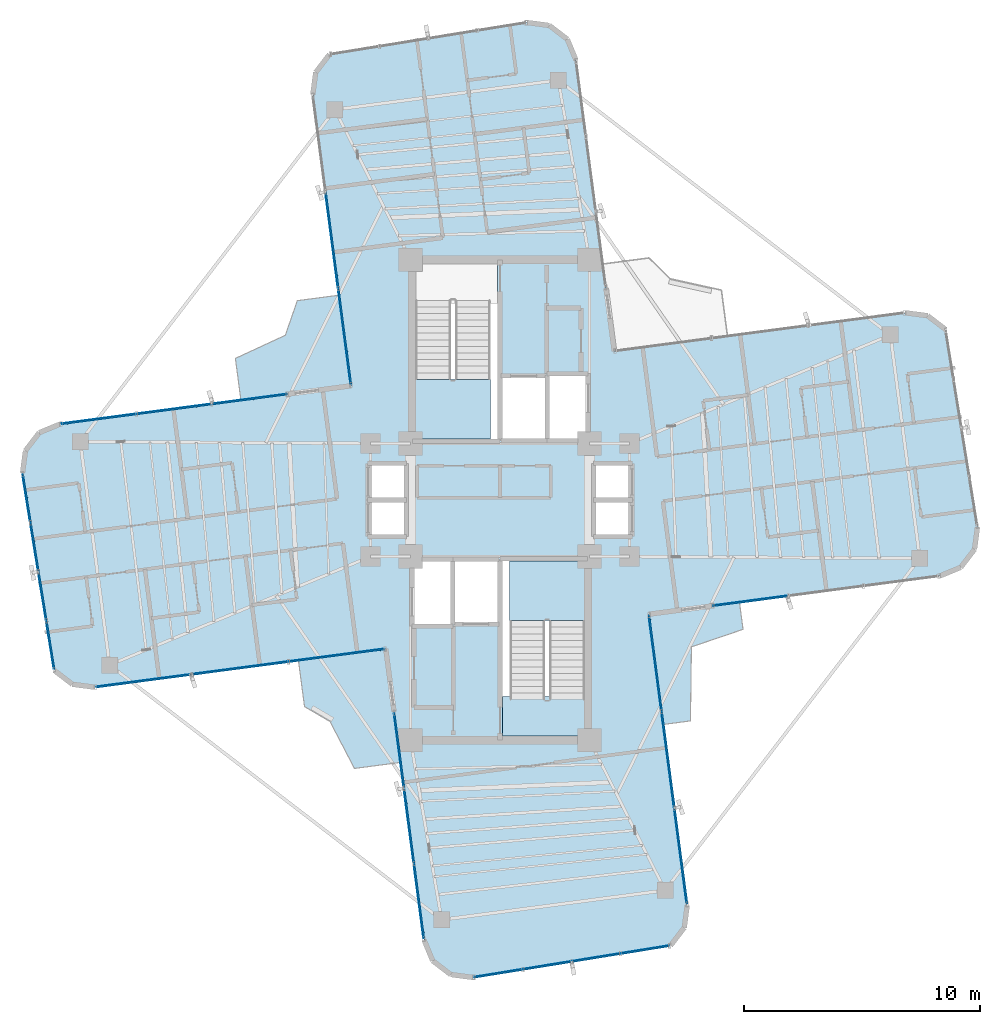
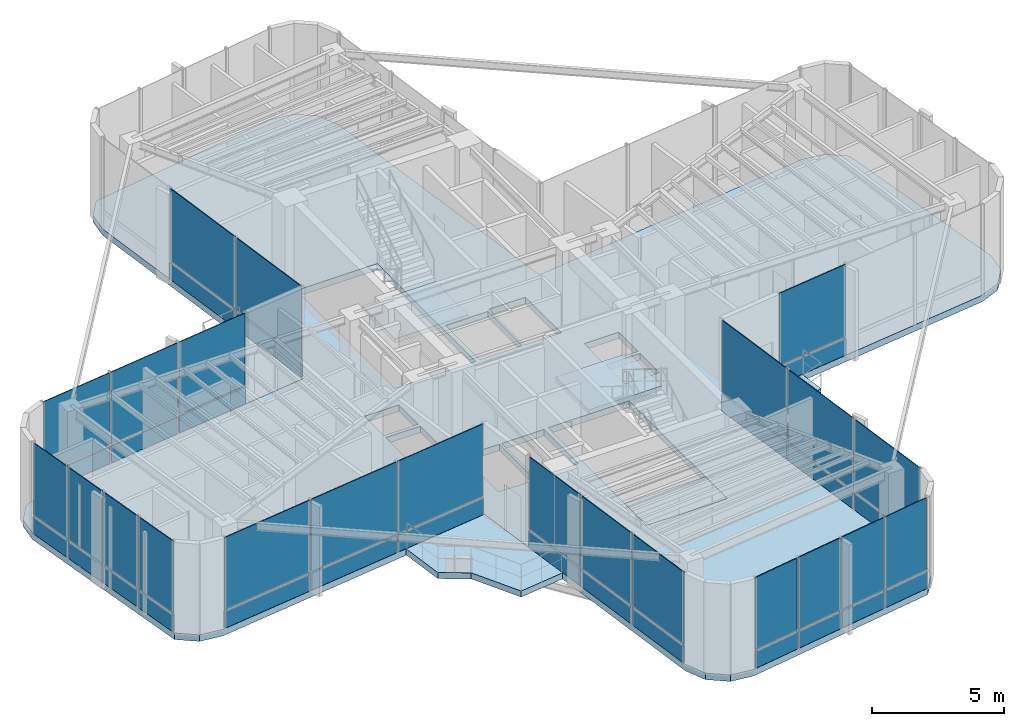
# One storey, part 13 of 20: 46 plates, 7 slabs, 10 elements without a shape of their own.
"""IFC4 building model written with IfcOpenShell, lengths in metres."""

import ifcopenshell
import ifcopenshell.guid

model = None  # the IFC model being written
_history = None  # IfcOwnerHistory: only IFC2X3 demands one
_inside = {}  # id of a spatial element -> (the spatial element, [elements in it])
_under = {}  # id of a project, library or spatial element -> (it, [spatial elements below it])
_declared = {}  # id of a project -> (the project, [libraries it declares])
_typed = {}  # id of a type object -> (the type object, [elements of that type])
_made_of = {}  # id of a material, layer set ... -> (it, [elements and type objects made of it])


def new_model(schema):
    """Start an empty IFC model of exactly this schema.

    Asked for "IFC4X3", IfcOpenShell would pick the latest addendum, in which some entities
    have other attributes; the version numbers below select the first issue.
    IFC2X3 requires an IfcOwnerHistory on every rooted entity: one is made here for all.
    """
    global model, _history
    if schema == "IFC4X3":
        model = ifcopenshell.file(schema_version=(4, 3, 0, 0))
    else:
        model = ifcopenshell.file(schema=schema)
    _inside.clear()
    _under.clear()
    _declared.clear()
    _typed.clear()
    _made_of.clear()
    _history = None
    if model.schema == "IFC2X3":
        org = make("IfcOrganization", Name="unknown")
        user = make(
            "IfcPersonAndOrganization",
            ThePerson=make("IfcPerson", FamilyName="unknown"),
            TheOrganization=org,
        )
        app = make(
            "IfcApplication",
            ApplicationDeveloper=org,
            Version="unknown",
            ApplicationFullName="unknown",
            ApplicationIdentifier="unknown",
        )
        _history = make(
            "IfcOwnerHistory",
            OwningUser=user,
            OwningApplication=app,
            ChangeAction="ADDED",
            CreationDate=0,
        )
    return model


def make(cls, **values):
    """One entity of the class cls with the attributes given. An attribute that is None is left unset."""
    return model.create_entity(
        cls, **{name: value for name, value in values.items() if value is not None}
    )


def rooted(cls, **values):
    """An entity with a GlobalId (a new one), such as an element, a storey or a relation."""
    return make(cls, GlobalId=ifcopenshell.guid.new(), OwnerHistory=_history, **values)


def si_unit(unit_type, name, prefix=None):
    """IfcSIUnit, for example si_unit("LENGTHUNIT", "METRE", prefix="MILLI")."""
    return make("IfcSIUnit", UnitType=unit_type, Prefix=prefix, Name=name)


def assignment(units):
    """IfcUnitAssignment: the units of a project."""
    return None if units is None else make("IfcUnitAssignment", Units=units)


def point(xyz):
    """IfcCartesianPoint."""
    return None if xyz is None else make("IfcCartesianPoint", Coordinates=xyz)


def direction(xyz):
    """IfcDirection."""
    return None if xyz is None else make("IfcDirection", DirectionRatios=xyz)


def frame(location, z_axis=None, x_axis=None):
    """IfcAxis2Placement3D, a coordinate frame: its origin and axes. An axis left out is left unset."""
    return make(
        "IfcAxis2Placement3D",
        Location=point(location),
        Axis=direction(z_axis),
        RefDirection=direction(x_axis),
    )


def frame_2d(location, x_axis=None):
    """IfcAxis2Placement2D, a coordinate frame in the plane: its origin and x axis."""
    return make(
        "IfcAxis2Placement2D", Location=point(location), RefDirection=direction(x_axis)
    )


def origin():
    """The frame at (0, 0, 0) with its axes left unset."""
    return frame((0.0, 0.0, 0.0))


def origin_2d():
    """The frame at (0, 0) in the plane with its x axis left unset."""
    return frame_2d((0.0, 0.0))


def place(relative_to, where):
    """IfcLocalPlacement: puts the frame where relative to a parent placement (None: the world)."""
    return make(
        "IfcLocalPlacement", PlacementRelTo=relative_to, RelativePlacement=where
    )


def context(
    kind, dimensions, precision=None, world=None, true_north=None, identifier=None
):
    """IfcGeometricRepresentationContext, for example the 3D "Model" context."""
    return make(
        "IfcGeometricRepresentationContext",
        ContextIdentifier=identifier,
        ContextType=kind,
        CoordinateSpaceDimension=dimensions,
        Precision=precision,
        WorldCoordinateSystem=world,
        TrueNorth=true_north,
    )


def subcontext(parent, identifier, kind, view, scale=None):
    """IfcGeometricRepresentationSubContext, for example "Body" below "Model"."""
    return make(
        "IfcGeometricRepresentationSubContext",
        ContextIdentifier=identifier,
        ContextType=kind,
        ParentContext=parent,
        TargetScale=scale,
        TargetView=view,
    )


def project(units=None, contexts=None):
    """IfcProject with its units and contexts."""
    return rooted(
        "IfcProject",
        Name="project",
        RepresentationContexts=contexts,
        UnitsInContext=assignment(units),
    )


def spatial(cls, under=None, at=None, **own):
    """A site, building, storey or space (cls), placed at a placement, below another one or the project."""
    s = rooted(cls, ObjectPlacement=at, **own)
    if under is not None:
        _under.setdefault(under.id(), (under, []))[1].append(s)
    return s


def polyline(points):
    """IfcPolyline through the points."""
    return make("IfcPolyline", Points=[point(p) for p in points])


def profile(cls, at=None, kind="AREA", **sizes):
    """A parametric profile (cls). Its sizes go by their IFC names, for example OverallWidth=200.0."""
    return make(cls, ProfileType=kind, Position=at, **sizes)


def rectangle(**sizes):
    """IfcRectangleProfileDef."""
    return profile("IfcRectangleProfileDef", **sizes)


def outline(outer, holes=None, kind="AREA"):
    """IfcArbitraryClosedProfileDef: a profile drawn as a closed curve; with holes, ...WithVoids."""
    if holes is None:
        return make("IfcArbitraryClosedProfileDef", ProfileType=kind, OuterCurve=outer)
    return make(
        "IfcArbitraryProfileDefWithVoids",
        ProfileType=kind,
        OuterCurve=outer,
        InnerCurves=holes,
    )


def extrude(swept, where, along, depth):
    """IfcExtrudedAreaSolid: the profile swept, set in the frame where, extruded along a direction by depth."""
    return make(
        "IfcExtrudedAreaSolid",
        SweptArea=swept,
        Position=where,
        ExtrudedDirection=direction(along),
        Depth=depth,
    )


def shape(context_of_items, identifier, shape_type, items):
    """IfcShapeRepresentation: the items that make up one representation, for example the "Body"."""
    return make(
        "IfcShapeRepresentation",
        ContextOfItems=context_of_items,
        RepresentationIdentifier=identifier,
        RepresentationType=shape_type,
        Items=items,
    )


def source(mapping_origin, context_of_items, identifier, shape_type, items):
    """IfcRepresentationMap: a shape defined once, which mapped items show again and again."""
    return make(
        "IfcRepresentationMap",
        MappingOrigin=mapping_origin,
        MappedRepresentation=shape(context_of_items, identifier, shape_type, items),
    )


def transform(
    local_origin,
    x_axis=None,
    y_axis=None,
    z_axis=None,
    scale=None,
    scale2=None,
    scale3=None,
    uniform=True,
):
    """IfcCartesianTransformationOperator3D, or its non-uniform kind. x_axis, y_axis, z_axis: its Axis1, 2, 3."""
    if uniform:
        return make(
            "IfcCartesianTransformationOperator3D",
            Axis1=direction(x_axis),
            Axis2=direction(y_axis),
            LocalOrigin=point(local_origin),
            Scale=scale,
            Axis3=direction(z_axis),
        )
    return make(
        "IfcCartesianTransformationOperator3DnonUniform",
        Axis1=direction(x_axis),
        Axis2=direction(y_axis),
        LocalOrigin=point(local_origin),
        Scale=scale,
        Axis3=direction(z_axis),
        Scale2=scale2,
        Scale3=scale3,
    )


def mapped(mapping_source, mapping_target):
    """IfcMappedItem: shows the shape of a source again, moved by a transform."""
    return make(
        "IfcMappedItem", MappingSource=mapping_source, MappingTarget=mapping_target
    )


def material(Name=None, Category=None):
    """IfcMaterial."""
    return make("IfcMaterial", Name=Name, Category=Category)


def layer(
    of_material, thickness, ventilated=None, Name=None, Category=None, Priority=None
):
    """IfcMaterialLayer: one layer of a wall or slab, of a material (None: an air gap)."""
    return make(
        "IfcMaterialLayer",
        Material=of_material,
        LayerThickness=thickness,
        IsVentilated=ventilated,
        Name=Name,
        Category=Category,
        Priority=Priority,
    )


def layer_set(layers, Name=None):
    """IfcMaterialLayerSet."""
    return make("IfcMaterialLayerSet", MaterialLayers=layers, LayerSetName=Name)


def made_of(thing, what):
    """Note that an element or type object is made of a material, layer set ...; save() writes the relation."""
    if what is not None:
        _made_of.setdefault(what.id(), (what, []))[1].append(thing)
    return thing


def type_object(cls, material=None, **own):
    """A type object (cls), such as IfcWallType, which elements share."""
    return made_of(rooted(cls, **own), material)


def element(
    cls,
    number,
    at=None,
    inside=None,
    cuts=None,
    type_object=None,
    material=None,
    context=None,
    identifier="Body",
    shape_type=None,
    held_by="IfcProductDefinitionShape",
    body=None,
    shapes=None,
    **own,
):
    """One element of the class cls, such as IfcWall. Its Tag is "e" and its number.

    at: its placement. inside: the storey or other place that contains it. cuts: it is an
    opening in that element (IfcRelVoidsElement). A single representation is given by context,
    identifier, shape_type and body (its items); several are given by shapes. held_by: the class
    of the entity that holds the representations. save() writes the other relations.
    """
    e = rooted(cls, Tag="e%d" % number, ObjectPlacement=at, **own)
    if body is not None:
        shapes = [shape(context, identifier, shape_type, body)]
    if shapes is not None:
        e.Representation = make(held_by, Representations=shapes)
    if inside is not None:
        _inside.setdefault(inside.id(), (inside, []))[1].append(e)
    if cuts is not None:
        rooted(
            "IfcRelVoidsElement", RelatingBuildingElement=cuts, RelatedOpeningElement=e
        )
    if type_object is not None:
        _typed.setdefault(type_object.id(), (type_object, []))[1].append(e)
    return made_of(e, material)


def aggregate(whole, parts):
    """IfcRelAggregates: a whole, such as a stair, and the parts it consists of."""
    return rooted("IfcRelAggregates", RelatingObject=whole, RelatedObjects=parts)


def save(model, path):
    """Write the relations noted so far, then the file.

    IfcRelAggregates (storeys below a building ...), IfcRelContainedInSpatialStructure (elements
    in a storey), IfcRelDefinesByType, IfcRelAssociatesMaterial and IfcRelDeclares: one each for
    every whole, place, type object, material and project.
    """
    for whole, parts in _under.values():
        aggregate(whole, parts)
    for where, things in _inside.values():
        rooted(
            "IfcRelContainedInSpatialStructure",
            RelatedElements=things,
            RelatingStructure=where,
        )
    for kind, things in _typed.values():
        rooted("IfcRelDefinesByType", RelatedObjects=things, RelatingType=kind)
    for what, things in _made_of.values():
        rooted("IfcRelAssociatesMaterial", RelatedObjects=things, RelatingMaterial=what)
    for by, libraries in _declared.values():
        rooted("IfcRelDeclares", RelatingContext=by, RelatedDefinitions=libraries)
    model.write(path)


model = new_model("IFC4")

# Units and contexts
model_context = context("Model", 3, precision=1e-05, world=origin(), true_north=direction((0.0, 1.0)))
body_context = subcontext(model_context, "Body", "Model", "MODEL_VIEW")
ifc_project = project(units=[si_unit("LENGTHUNIT", "METRE"), si_unit("AREAUNIT", "SQUARE_METRE"), si_unit("VOLUMEUNIT", "CUBIC_METRE"), si_unit("PLANEANGLEUNIT", "RADIAN"), si_unit("MASSUNIT", "GRAM", prefix="KILO")], contexts=[model_context])

# Site, building, storey
site_placement = place(None, origin())
site = spatial("IfcSite", under=ifc_project, at=site_placement, CompositionType="ELEMENT")
building_placement = place(site_placement, origin())
building = spatial("IfcBuilding", under=site, at=building_placement, Name="Sahyath Konkavel Grand Hotel", CompositionType="ELEMENT")
storey_placement = place(building_placement, frame((0.0, 0.0, 229.949951171875)))
storey = spatial("IfcBuildingStorey", under=building, at=storey_placement, Name="L64", CompositionType="ELEMENT", Elevation=229.949951171875)

# Slabs
ifc_material_1 = material(Name="Concrete C40/50", Category="concrete")
ifc_layer_1 = layer(ifc_material_1, 0.300048828125)
ifc_layer_set_1 = layer_set([ifc_layer_1], Name="Concrete C40/50")
slab_type_1 = type_object("IfcSlabType", Name="SLB-300", PredefinedType="FLOOR", material=ifc_layer_set_1)
slab_1_placement = place(storey_placement, frame((0.0, 0.0, -0.300048828125)))
element("IfcSlab", 1, at=slab_1_placement, inside=storey, type_object=slab_type_1, Name="L64 Structural Floor Slab", PredefinedType="FLOOR", context=body_context, shape_type="SweptSolid", body=[
    extrude(outline(polyline([(6.320068359375, -4.849609375), (18.677490234375, -3.22265625), (19.562255859375, -2.856201171875), (20.14501953125, -2.096435546875), (20.27001953125, -1.14697265625), (18.916015625, 7.239013671875), (18.156494140625, 7.822021484375), (17.206787109375, 7.947021484375), (4.849609375, 6.320068359375), (3.22265625, 18.677490234375), (2.856201171875, 19.562255859375), (2.096435546875, 20.14501953125), (1.14697265625, 20.27001953125), (-7.239013671875, 18.916015625), (-7.822021484375, 18.156494140625), (-7.947021484375, 17.206787109375), (-6.320068359375, 4.849609375), (-18.677490234375, 3.22265625), (-19.562255859375, 2.856201171875), (-20.14501953125, 2.096435546875), (-20.27001953125, 1.14697265625), (-18.916015625, -7.239013671875), (-18.156494140625, -7.822021484375), (-17.206787109375, -7.947021484375), (-4.849609375, -6.320068359375), (-3.22265625, -18.677490234375), (-2.856201171875, -19.562255859375), (-2.096435546875, -20.14501953125), (-1.14697265625, -20.27001953125), (7.239013671875, -18.916015625), (7.822021484375, -18.156494140625), (7.947021484375, -17.206787109375), (6.320068359375, -4.849609375)]), holes=[polyline([(-3.6201171875, 2.580078125), (-0.10009765625, 2.580078125), (-0.10009765625, 10.02001953125), (-3.6201171875, 10.02001953125), (-3.6201171875, 2.580078125)]), polyline([(0.10009765625, -10.02001953125), (3.6201171875, -10.02001953125), (3.6201171875, -2.580078125), (0.10009765625, -2.580078125), (0.10009765625, -10.02001953125)]), polyline([(0.10009765625, 2.60009765625), (1.949951171875, 2.60009765625), (1.949951171875, 5.199951171875), (0.10009765625, 5.199951171875), (0.10009765625, 2.60009765625)]), polyline([(-1.949951171875, -5.199951171875), (-0.10009765625, -5.199951171875), (-0.10009765625, -2.60009765625), (-1.949951171875, -2.60009765625), (-1.949951171875, -5.199951171875)]), polyline([(2.050048828125, 2.60009765625), (3.64990234375, 2.60009765625), (3.64990234375, 5.300048828125), (2.050048828125, 5.300048828125), (2.050048828125, 2.60009765625)]), polyline([(-3.64990234375, -5.300048828125), (-2.050048828125, -5.300048828125), (-2.050048828125, -2.60009765625), (-3.64990234375, -2.60009765625), (-3.64990234375, -5.300048828125)]), polyline([(4.050048828125, 0.080078125), (5.550048828125, 0.080078125), (5.550048828125, 1.5400390625), (4.050048828125, 1.5400390625), (4.050048828125, 0.080078125)]), polyline([(4.050048828125, -1.5400390625), (5.550048828125, -1.5400390625), (5.550048828125, -0.080078125), (4.050048828125, -0.080078125), (4.050048828125, -1.5400390625)]), polyline([(-5.550048828125, 0.080078125), (-4.050048828125, 0.080078125), (-4.050048828125, 1.5400390625), (-5.550048828125, 1.5400390625), (-5.550048828125, 0.080078125)]), polyline([(-5.550048828125, -1.5400390625), (-4.050048828125, -1.5400390625), (-4.050048828125, -0.080078125), (-5.550048828125, -0.080078125), (-5.550048828125, -1.5400390625)])]), origin(), (0.0, 0.0, 1.0), 0.300048828125),
])
ifc_layer_2 = layer(ifc_material_1, 0.219970703125)
ifc_layer_set_2 = layer_set([ifc_layer_2], Name="Concrete C40/50")
slab_type_2 = type_object("IfcSlabType", Name="SLB-BALCONY-220", PredefinedType="FLOOR", material=ifc_layer_set_2)
slab_2_placement = place(storey_placement, frame((0.0, 0.0, -0.219970703125)))
element("IfcSlab", 2, at=slab_2_placement, inside=storey, type_object=slab_type_2, Name="L64 Winter-Garden Balcony NW", PredefinedType="FLOOR", context=body_context, shape_type="SweptSolid", body=[
    extrude(outline(polyline([(-6.320068359375, 4.849609375), (-6.826416015625, 8.6962890625), (-8.60400390625, 8.46240234375), (-9.11376953125, 6.9931640625), (-11.233642578125, 6.010986328125), (-10.999755859375, 4.2333984375), (-6.320068359375, 4.849609375)])), origin(), (0.0, 0.0, 1.0), 0.219970703125),
])
slab_3_placement = place(storey_placement, frame((0.0, 0.0, -0.219970703125)))
element("IfcSlab", 3, at=slab_3_placement, inside=storey, type_object=slab_type_2, Name="L64 Winter-Garden Balcony SE", PredefinedType="FLOOR", context=body_context, shape_type="SweptSolid", body=[
    extrude(outline(polyline([(6.320068359375, -4.849609375), (6.93603515625, -9.529296875), (8.08544921875, -9.3779296875), (8.12646484375, -6.235595703125), (10.318115234375, -5.492431640625), (10.1669921875, -4.343017578125), (6.320068359375, -4.849609375)])), origin(), (0.0, 0.0, 1.0), 0.219970703125),
])
ifc_layer_3 = layer(ifc_material_1, 0.280029296875)
ifc_layer_set_3 = layer_set([ifc_layer_3], Name="Concrete C40/50")
slab_type_3 = type_object("IfcSlabType", Name="SLB-SKYGARDEN-280", PredefinedType="ROOF", material=ifc_layer_set_3)
slab_4_placement = place(storey_placement, frame((0.0, 0.0, -0.280029296875)))
element("IfcSlab", 4, at=slab_4_placement, inside=storey, type_object=slab_type_3, Name="L64 Planted Sky Garden Terrace SW", PredefinedType="ROOF", context=body_context, shape_type="SweptSolid", body=[
    extrude(outline(polyline([(-4.849609375, -6.320068359375), (-8.5576171875, -6.80810546875), (-8.299072265625, -8.771240234375), (-7.217041015625, -9.405517578125), (-6.17822265625, -11.39697265625), (-4.215087890625, -11.138427734375), (-4.849609375, -6.320068359375)])), origin(), (0.0, 0.0, 1.0), 0.280029296875),
])

# Stair, slab
stair_type = type_object("IfcStairType", Name="STR-ST16-450", PredefinedType="HALF_TURN_STAIR", material=ifc_material_1)
stair_1_placement = place(storey_placement, origin())
stair_1 = element("IfcStair", 5, at=stair_1_placement, inside=storey, type_object=stair_type, Name="L64 North Core Smokeproof Exit Stair ST-1", PredefinedType="HALF_TURN_STAIR")
ifc_layer_4 = layer(ifc_material_1, 0.199951171875)
ifc_layer_set_4 = layer_set([ifc_layer_4], Name="Concrete C40/50")
slab_type_4 = type_object("IfcSlabType", Name="SLB-STAIR-LND", PredefinedType="LANDING", material=ifc_layer_set_4)
slab_5_placement = place(storey_placement, frame((0.0, 0.0, 2.050048828125)))
slab_5 = element("IfcSlab", 6, at=slab_5_placement, type_object=slab_type_4, Name="ST-1 landing 1", PredefinedType="LANDING", context=body_context, shape_type="SweptSolid", body=[
    extrude(outline(polyline([(-3.60009765625, 5.1201171875), (-3.60009765625, 2.60009765625), (-0.39990234375, 2.60009765625), (-0.39990234375, 5.1201171875), (-3.60009765625, 5.1201171875)])), origin(), (0.0, 0.0, 1.0), 0.199951171875),
])
aggregate(stair_1, [slab_5])

stair_2_placement = place(storey_placement, origin())
stair_2 = element("IfcStair", 7, at=stair_2_placement, inside=storey, type_object=stair_type, Name="L64 South Core Smokeproof Exit Stair ST-2", PredefinedType="HALF_TURN_STAIR")
slab_6_placement = place(storey_placement, frame((0.0, 0.0, 2.050048828125)))
slab_6 = element("IfcSlab", 8, at=slab_6_placement, type_object=slab_type_4, Name="ST-2 landing 1", PredefinedType="LANDING", context=body_context, shape_type="SweptSolid", body=[
    extrude(outline(polyline([(3.60009765625, -5.1201171875), (3.60009765625, -2.60009765625), (0.39990234375, -2.60009765625), (0.39990234375, -5.1201171875), (3.60009765625, -5.1201171875)])), origin(), (0.0, 0.0, 1.0), 0.199951171875),
])
aggregate(stair_2, [slab_6])

# Slab
slab_7_placement = place(storey_placement, frame((0.0, 0.0, -0.199951171875)))
element("IfcSlab", 9, at=slab_7_placement, inside=storey, type_object=slab_type_4, Name="L64 Stair ST-2 Floor Landing Slab", PredefinedType="LANDING", context=body_context, shape_type="SweptSolid", body=[
    extrude(outline(polyline([(0.10009765625, -10.02001953125), (3.6201171875, -10.02001953125), (3.6201171875, -8.35009765625), (0.10009765625, -8.35009765625), (0.10009765625, -10.02001953125)])), origin(), (0.0, 0.0, 1.0), 0.199951171875),
])

# Curtain wall, plate
ifc_material_2 = material(Name="Anodised Bronze Aluminium & Low-E Glazing", Category="aluminium")
curtain_wall_type = type_object("IfcCurtainWallType", Name="CW-SKYLOBBY", PredefinedType="NOTDEFINED", material=ifc_material_2)
curtain_wall_1_placement = place(storey_placement, origin())
curtain_wall_1 = element("IfcCurtainWall", 10, at=curtain_wall_1_placement, inside=storey, type_object=curtain_wall_type, Name="L64 Unitised Curtain Wall F0", PredefinedType="NOTDEFINED")
ifc_material_3 = material(Name="Warm Buff Sandstone Cladding", Category="masonry")
ifc_layer_5 = layer(ifc_material_3, 0.074951171875)
ifc_layer_set_5 = layer_set([ifc_layer_5], Name="Warm Buff Sandstone Cladding")
plate_type_1 = type_object("IfcPlateType", Name="PNL-SPANDREL-STONE", PredefinedType="SHEET", material=ifc_layer_set_5)
shared_shape_1 = source(origin(), body_context, "Body", "SweptSolid", [
    extrude(rectangle(XDim=3.14794921875, YDim=0.074951171875, at=origin_2d()), origin(), (0.0, 0.0, 1.0), 0.77001953125),
])
plate_1_placement = place(storey_placement, frame((10.63671875, -4.28125, 0.0400390625), z_axis=(0.0, 0.0, 1.0), x_axis=(0.991444861374, 0.13052619222, 0.0)))
plate_1 = element("IfcPlate", 11, at=plate_1_placement, type_object=plate_type_1, Name="L64 Sandstone Relief Spandrel Panel F0-0", PredefinedType="SHEET", context=body_context, shape_type="MappedRepresentation", body=[
    mapped(shared_shape_1, transform((0.0, 0.0, 0.0), scale=1.0)),
])

# Curtain wall, plates
curtain_wall_2_placement = place(storey_placement, origin())
curtain_wall_2 = element("IfcCurtainWall", 12, at=curtain_wall_2_placement, inside=storey, type_object=curtain_wall_type, Name="L64 Unitised Curtain Wall F16", PredefinedType="NOTDEFINED")
plate_2_placement = place(storey_placement, frame((-10.63671875, 4.28125, 0.0400390625), z_axis=(0.0, 0.0, 1.0), x_axis=(-0.991444861374, -0.13052619222, 0.0)))
plate_2 = element("IfcPlate", 13, at=plate_2_placement, type_object=plate_type_1, Name="L64 Sandstone Relief Spandrel Panel F16-0", PredefinedType="SHEET", context=body_context, shape_type="MappedRepresentation", body=[
    mapped(shared_shape_1, transform((0.0, 0.0, 0.0), scale=1.0)),
])
plate_3_placement = place(storey_placement, frame((-13.837158203125, 3.85986328125, 0.0400390625), z_axis=(0.0, 0.0, 1.0), x_axis=(-0.991444861374, -0.13052619222, 0.0)))
plate_3 = element("IfcPlate", 14, at=plate_3_placement, type_object=plate_type_1, Name="L64 Sandstone Relief Spandrel Panel F16-1", PredefinedType="SHEET", context=body_context, shape_type="MappedRepresentation", body=[
    mapped(shared_shape_1, transform((0.0, 0.0, 0.0), scale=1.0)),
])
plate_4_placement = place(storey_placement, frame((-17.03759765625, 3.438720703125, 0.0400390625), z_axis=(0.0, 0.0, 1.0), x_axis=(-0.991444861374, -0.13052619222, 0.0)))
plate_4 = element("IfcPlate", 15, at=plate_4_placement, type_object=plate_type_1, Name="L64 Sandstone Relief Spandrel Panel F16-2", PredefinedType="SHEET", context=body_context, shape_type="MappedRepresentation", body=[
    mapped(shared_shape_1, transform((0.0, 0.0, 0.0), scale=1.0)),
])

curtain_wall_3_placement = place(storey_placement, origin())
curtain_wall_3 = element("IfcCurtainWall", 16, at=curtain_wall_3_placement, inside=storey, type_object=curtain_wall_type, Name="L64 Unitised Curtain Wall F24", PredefinedType="NOTDEFINED")
plate_5_placement = place(storey_placement, frame((-4.28125, -10.63671875, 0.0400390625), z_axis=(0.0, 0.0, 1.0), x_axis=(0.13052619222, -0.991444861374, 0.0)))
plate_5 = element("IfcPlate", 17, at=plate_5_placement, type_object=plate_type_1, Name="L64 Sandstone Relief Spandrel Panel F24-0", PredefinedType="SHEET", context=body_context, shape_type="MappedRepresentation", body=[
    mapped(shared_shape_1, transform((0.0, 0.0, 0.0), scale=1.0)),
])
plate_6_placement = place(storey_placement, frame((-3.85986328125, -13.837158203125, 0.0400390625), z_axis=(0.0, 0.0, 1.0), x_axis=(0.13052619222, -0.991444861374, 0.0)))
plate_6 = element("IfcPlate", 18, at=plate_6_placement, type_object=plate_type_1, Name="L64 Sandstone Relief Spandrel Panel F24-1", PredefinedType="SHEET", context=body_context, shape_type="MappedRepresentation", body=[
    mapped(shared_shape_1, transform((0.0, 0.0, 0.0), scale=1.0)),
])
plate_7_placement = place(storey_placement, frame((-3.438720703125, -17.03759765625, 0.0400390625), z_axis=(0.0, 0.0, 1.0), x_axis=(0.13052619222, -0.991444861374, 0.0)))
plate_7 = element("IfcPlate", 19, at=plate_7_placement, type_object=plate_type_1, Name="L64 Sandstone Relief Spandrel Panel F24-2", PredefinedType="SHEET", context=body_context, shape_type="MappedRepresentation", body=[
    mapped(shared_shape_1, transform((0.0, 0.0, 0.0), scale=1.0)),
])

# Plate
ifc_material_4 = material(Name="Low-E Solar Control Double Glazing", Category="glass")
ifc_layer_6 = layer(ifc_material_4, 0.035888671875)
ifc_layer_set_6 = layer_set([ifc_layer_6], Name="Low-E Solar Control Double Glazing")
plate_type_2 = type_object("IfcPlateType", Name="PNL-VISION-LOWE", PredefinedType="CURTAIN_PANEL", material=ifc_layer_set_6)
shared_shape_2 = source(origin(), body_context, "Body", "SweptSolid", [
    extrude(rectangle(XDim=3.14794921875, YDim=0.035888671875, at=origin_2d()), origin(), (0.0, 0.0, 1.0), 3.330078125),
])
plate_8_placement = place(storey_placement, frame((10.63671875, -4.28125, 0.889892578125), z_axis=(0.0, 0.0, 1.0), x_axis=(0.991444861374, 0.13052619222, 0.0)))
plate_8 = element("IfcPlate", 20, at=plate_8_placement, type_object=plate_type_2, Name="L64 Low-E Vision Glazing Panel F0-0", PredefinedType="CURTAIN_PANEL", context=body_context, shape_type="MappedRepresentation", body=[
    mapped(shared_shape_2, transform((0.0, 0.0, 0.0), scale=1.0)),
])

aggregate(curtain_wall_1, [plate_1, plate_8])

plate_9_placement = place(storey_placement, frame((-10.63671875, 4.28125, 0.889892578125), z_axis=(0.0, 0.0, 1.0), x_axis=(-0.991444861374, -0.13052619222, 0.0)))
plate_9 = element("IfcPlate", 21, at=plate_9_placement, type_object=plate_type_2, Name="L64 Low-E Vision Glazing Panel F16-0", PredefinedType="CURTAIN_PANEL", context=body_context, shape_type="MappedRepresentation", body=[
    mapped(shared_shape_2, transform((0.0, 0.0, 0.0), scale=1.0)),
])

plate_10_placement = place(storey_placement, frame((-13.837158203125, 3.85986328125, 0.889892578125), z_axis=(0.0, 0.0, 1.0), x_axis=(-0.991444861374, -0.13052619222, 0.0)))
plate_10 = element("IfcPlate", 22, at=plate_10_placement, type_object=plate_type_2, Name="L64 Low-E Vision Glazing Panel F16-1", PredefinedType="CURTAIN_PANEL", context=body_context, shape_type="MappedRepresentation", body=[
    mapped(shared_shape_2, transform((0.0, 0.0, 0.0), scale=1.0)),
])

plate_11_placement = place(storey_placement, frame((-17.03759765625, 3.438720703125, 0.889892578125), z_axis=(0.0, 0.0, 1.0), x_axis=(-0.991444861374, -0.13052619222, 0.0)))
plate_11 = element("IfcPlate", 23, at=plate_11_placement, type_object=plate_type_2, Name="L64 Low-E Vision Glazing Panel F16-2", PredefinedType="CURTAIN_PANEL", context=body_context, shape_type="MappedRepresentation", body=[
    mapped(shared_shape_2, transform((0.0, 0.0, 0.0), scale=1.0)),
])

aggregate(curtain_wall_2, [plate_2, plate_9, plate_3, plate_10, plate_4, plate_11])

plate_12_placement = place(storey_placement, frame((-4.28125, -10.63671875, 0.889892578125), z_axis=(0.0, 0.0, 1.0), x_axis=(0.13052619222, -0.991444861374, 0.0)))
plate_12 = element("IfcPlate", 24, at=plate_12_placement, type_object=plate_type_2, Name="L64 Low-E Vision Glazing Panel F24-0", PredefinedType="CURTAIN_PANEL", context=body_context, shape_type="MappedRepresentation", body=[
    mapped(shared_shape_2, transform((0.0, 0.0, 0.0), scale=1.0)),
])

plate_13_placement = place(storey_placement, frame((-3.85986328125, -13.837158203125, 0.889892578125), z_axis=(0.0, 0.0, 1.0), x_axis=(0.13052619222, -0.991444861374, 0.0)))
plate_13 = element("IfcPlate", 25, at=plate_13_placement, type_object=plate_type_2, Name="L64 Low-E Vision Glazing Panel F24-1", PredefinedType="CURTAIN_PANEL", context=body_context, shape_type="MappedRepresentation", body=[
    mapped(shared_shape_2, transform((0.0, 0.0, 0.0), scale=1.0)),
])

plate_14_placement = place(storey_placement, frame((-3.438720703125, -17.03759765625, 0.889892578125), z_axis=(0.0, 0.0, 1.0), x_axis=(0.13052619222, -0.991444861374, 0.0)))
plate_14 = element("IfcPlate", 26, at=plate_14_placement, type_object=plate_type_2, Name="L64 Low-E Vision Glazing Panel F24-2", PredefinedType="CURTAIN_PANEL", context=body_context, shape_type="MappedRepresentation", body=[
    mapped(shared_shape_2, transform((0.0, 0.0, 0.0), scale=1.0)),
])

aggregate(curtain_wall_3, [plate_5, plate_12, plate_6, plate_13, plate_7, plate_14])

# Curtain wall, plates
curtain_wall_4_placement = place(storey_placement, origin())
curtain_wall_4 = element("IfcCurtainWall", 27, at=curtain_wall_4_placement, inside=storey, type_object=curtain_wall_type, Name="L64 Unitised Curtain Wall F20", PredefinedType="NOTDEFINED")
shared_shape_3 = source(origin(), body_context, "Body", "SweptSolid", [
    extrude(rectangle(XDim=2.023681640625, YDim=0.074951171875, at=origin_2d()), origin(), (0.0, 0.0, 1.0), 0.77001953125),
])
plate_15_placement = place(storey_placement, frame((-20.095947265625, 0.069091796875, 0.0400390625), z_axis=(0.0, 0.0, 1.0), x_axis=(0.159398762836, -0.987214279884, 0.0)))
plate_15 = element("IfcPlate", 28, at=plate_15_placement, type_object=plate_type_1, Name="L64 Sandstone Relief Spandrel Panel F20-0", PredefinedType="SHEET", context=body_context, shape_type="MappedRepresentation", body=[
    mapped(shared_shape_3, transform((0.0, 0.0, 0.0), scale=1.0)),
])
plate_16_placement = place(storey_placement, frame((-19.7607421875, -2.007568359375, 0.0400390625), z_axis=(0.0, 0.0, 1.0), x_axis=(0.159398762836, -0.987214279884, 0.0)))
plate_16 = element("IfcPlate", 29, at=plate_16_placement, type_object=plate_type_1, Name="L64 Sandstone Relief Spandrel Panel F20-1", PredefinedType="SHEET", context=body_context, shape_type="MappedRepresentation", body=[
    mapped(shared_shape_3, transform((0.0, 0.0, 0.0), scale=1.0)),
])
plate_17_placement = place(storey_placement, frame((-19.42529296875, -4.08447265625, 0.0400390625), z_axis=(0.0, 0.0, 1.0), x_axis=(0.159398762836, -0.987214279884, 0.0)))
plate_17 = element("IfcPlate", 30, at=plate_17_placement, type_object=plate_type_1, Name="L64 Sandstone Relief Spandrel Panel F20-2", PredefinedType="SHEET", context=body_context, shape_type="MappedRepresentation", body=[
    mapped(shared_shape_3, transform((0.0, 0.0, 0.0), scale=1.0)),
])
plate_18_placement = place(storey_placement, frame((-19.090087890625, -6.1611328125, 0.0400390625), z_axis=(0.0, 0.0, 1.0), x_axis=(0.159398762836, -0.987214279884, 0.0)))
plate_18 = element("IfcPlate", 31, at=plate_18_placement, type_object=plate_type_1, Name="L64 Sandstone Relief Spandrel Panel F20-3", PredefinedType="SHEET", context=body_context, shape_type="MappedRepresentation", body=[
    mapped(shared_shape_3, transform((0.0, 0.0, 0.0), scale=1.0)),
])

curtain_wall_5_placement = place(storey_placement, origin())
curtain_wall_5 = element("IfcCurtainWall", 32, at=curtain_wall_5_placement, inside=storey, type_object=curtain_wall_type, Name="L64 Unitised Curtain Wall F28", PredefinedType="NOTDEFINED")
plate_19_placement = place(storey_placement, frame((-0.069091796875, -20.095947265625, 0.0400390625), z_axis=(0.0, 0.0, 1.0), x_axis=(0.987214279884, 0.159398762836, 0.0)))
plate_19 = element("IfcPlate", 33, at=plate_19_placement, type_object=plate_type_1, Name="L64 Sandstone Relief Spandrel Panel F28-0", PredefinedType="SHEET", context=body_context, shape_type="MappedRepresentation", body=[
    mapped(shared_shape_3, transform((0.0, 0.0, 0.0), scale=1.0)),
])
plate_20_placement = place(storey_placement, frame((2.007568359375, -19.7607421875, 0.0400390625), z_axis=(0.0, 0.0, 1.0), x_axis=(0.987214279884, 0.159398762836, 0.0)))
plate_20 = element("IfcPlate", 34, at=plate_20_placement, type_object=plate_type_1, Name="L64 Sandstone Relief Spandrel Panel F28-1", PredefinedType="SHEET", context=body_context, shape_type="MappedRepresentation", body=[
    mapped(shared_shape_3, transform((0.0, 0.0, 0.0), scale=1.0)),
])
plate_21_placement = place(storey_placement, frame((4.08447265625, -19.42529296875, 0.0400390625), z_axis=(0.0, 0.0, 1.0), x_axis=(0.987214279884, 0.159398762836, 0.0)))
plate_21 = element("IfcPlate", 35, at=plate_21_placement, type_object=plate_type_1, Name="L64 Sandstone Relief Spandrel Panel F28-2", PredefinedType="SHEET", context=body_context, shape_type="MappedRepresentation", body=[
    mapped(shared_shape_3, transform((0.0, 0.0, 0.0), scale=1.0)),
])
plate_22_placement = place(storey_placement, frame((6.1611328125, -19.090087890625, 0.0400390625), z_axis=(0.0, 0.0, 1.0), x_axis=(0.987214279884, 0.159398762836, 0.0)))
plate_22 = element("IfcPlate", 36, at=plate_22_placement, type_object=plate_type_1, Name="L64 Sandstone Relief Spandrel Panel F28-3", PredefinedType="SHEET", context=body_context, shape_type="MappedRepresentation", body=[
    mapped(shared_shape_3, transform((0.0, 0.0, 0.0), scale=1.0)),
])

# Plate
shared_shape_4 = source(origin(), body_context, "Body", "SweptSolid", [
    extrude(rectangle(XDim=2.023681640625, YDim=0.035888671875, at=origin_2d()), origin(), (0.0, 0.0, 1.0), 3.330078125),
])
plate_23_placement = place(storey_placement, frame((-20.095947265625, 0.069091796875, 0.889892578125), z_axis=(0.0, 0.0, 1.0), x_axis=(0.159398762836, -0.987214279884, 0.0)))
plate_23 = element("IfcPlate", 37, at=plate_23_placement, type_object=plate_type_2, Name="L64 Low-E Vision Glazing Panel F20-0", PredefinedType="CURTAIN_PANEL", context=body_context, shape_type="MappedRepresentation", body=[
    mapped(shared_shape_4, transform((0.0, 0.0, 0.0), scale=1.0)),
])

plate_24_placement = place(storey_placement, frame((-19.7607421875, -2.007568359375, 0.889892578125), z_axis=(0.0, 0.0, 1.0), x_axis=(0.159398762836, -0.987214279884, 0.0)))
plate_24 = element("IfcPlate", 38, at=plate_24_placement, type_object=plate_type_2, Name="L64 Low-E Vision Glazing Panel F20-1", PredefinedType="CURTAIN_PANEL", context=body_context, shape_type="MappedRepresentation", body=[
    mapped(shared_shape_4, transform((0.0, 0.0, 0.0), scale=1.0)),
])

plate_25_placement = place(storey_placement, frame((-19.42529296875, -4.08447265625, 0.889892578125), z_axis=(0.0, 0.0, 1.0), x_axis=(0.159398762836, -0.987214279884, 0.0)))
plate_25 = element("IfcPlate", 39, at=plate_25_placement, type_object=plate_type_2, Name="L64 Low-E Vision Glazing Panel F20-2", PredefinedType="CURTAIN_PANEL", context=body_context, shape_type="MappedRepresentation", body=[
    mapped(shared_shape_4, transform((0.0, 0.0, 0.0), scale=1.0)),
])

plate_26_placement = place(storey_placement, frame((-19.090087890625, -6.1611328125, 0.889892578125), z_axis=(0.0, 0.0, 1.0), x_axis=(0.159398762836, -0.987214279884, 0.0)))
plate_26 = element("IfcPlate", 40, at=plate_26_placement, type_object=plate_type_2, Name="L64 Low-E Vision Glazing Panel F20-3", PredefinedType="CURTAIN_PANEL", context=body_context, shape_type="MappedRepresentation", body=[
    mapped(shared_shape_4, transform((0.0, 0.0, 0.0), scale=1.0)),
])

aggregate(curtain_wall_4, [plate_15, plate_23, plate_16, plate_24, plate_17, plate_25, plate_18, plate_26])

plate_27_placement = place(storey_placement, frame((-0.069091796875, -20.095947265625, 0.889892578125), z_axis=(0.0, 0.0, 1.0), x_axis=(0.987214279884, 0.159398762836, 0.0)))
plate_27 = element("IfcPlate", 41, at=plate_27_placement, type_object=plate_type_2, Name="L64 Low-E Vision Glazing Panel F28-0", PredefinedType="CURTAIN_PANEL", context=body_context, shape_type="MappedRepresentation", body=[
    mapped(shared_shape_4, transform((0.0, 0.0, 0.0), scale=1.0)),
])

plate_28_placement = place(storey_placement, frame((2.007568359375, -19.7607421875, 0.889892578125), z_axis=(0.0, 0.0, 1.0), x_axis=(0.987214279884, 0.159398762836, 0.0)))
plate_28 = element("IfcPlate", 42, at=plate_28_placement, type_object=plate_type_2, Name="L64 Low-E Vision Glazing Panel F28-1", PredefinedType="CURTAIN_PANEL", context=body_context, shape_type="MappedRepresentation", body=[
    mapped(shared_shape_4, transform((0.0, 0.0, 0.0), scale=1.0)),
])

plate_29_placement = place(storey_placement, frame((4.08447265625, -19.42529296875, 0.889892578125), z_axis=(0.0, 0.0, 1.0), x_axis=(0.987214279884, 0.159398762836, 0.0)))
plate_29 = element("IfcPlate", 43, at=plate_29_placement, type_object=plate_type_2, Name="L64 Low-E Vision Glazing Panel F28-2", PredefinedType="CURTAIN_PANEL", context=body_context, shape_type="MappedRepresentation", body=[
    mapped(shared_shape_4, transform((0.0, 0.0, 0.0), scale=1.0)),
])

plate_30_placement = place(storey_placement, frame((6.1611328125, -19.090087890625, 0.889892578125), z_axis=(0.0, 0.0, 1.0), x_axis=(0.987214279884, 0.159398762836, 0.0)))
plate_30 = element("IfcPlate", 44, at=plate_30_placement, type_object=plate_type_2, Name="L64 Low-E Vision Glazing Panel F28-3", PredefinedType="CURTAIN_PANEL", context=body_context, shape_type="MappedRepresentation", body=[
    mapped(shared_shape_4, transform((0.0, 0.0, 0.0), scale=1.0)),
])

aggregate(curtain_wall_5, [plate_19, plate_27, plate_20, plate_28, plate_21, plate_29, plate_22, plate_30])

# Curtain wall, plates
curtain_wall_6_placement = place(storey_placement, origin())
curtain_wall_6 = element("IfcCurtainWall", 45, at=curtain_wall_6_placement, inside=storey, type_object=curtain_wall_type, Name="L64 Unitised Curtain Wall F15", PredefinedType="NOTDEFINED")
shared_shape_5 = source(origin(), body_context, "Body", "SweptSolid", [
    extrude(rectangle(XDim=4.048095703125, YDim=0.074951171875, at=origin_2d()), origin(), (0.0, 0.0, 1.0), 0.77001953125),
])
plate_31_placement = place(storey_placement, frame((-7.133544921875, 11.0283203125, 0.0400390625), z_axis=(0.0, 0.0, 1.0), x_axis=(0.13052619222, -0.991444861374, 0.0)))
plate_31 = element("IfcPlate", 46, at=plate_31_placement, type_object=plate_type_1, Name="L64 Sandstone Relief Spandrel Panel F15-1", PredefinedType="SHEET", context=body_context, shape_type="MappedRepresentation", body=[
    mapped(shared_shape_5, transform((0.0, 0.0, 0.0), scale=1.0)),
])
plate_32_placement = place(storey_placement, frame((-6.5947265625, 6.935546875, 0.0400390625), z_axis=(0.0, 0.0, 1.0), x_axis=(0.13052619222, -0.991444861374, 0.0)))
plate_32 = element("IfcPlate", 47, at=plate_32_placement, type_object=plate_type_1, Name="L64 Sandstone Relief Spandrel Panel F15-2", PredefinedType="SHEET", context=body_context, shape_type="MappedRepresentation", body=[
    mapped(shared_shape_5, transform((0.0, 0.0, 0.0), scale=1.0)),
])

curtain_wall_7_placement = place(storey_placement, origin())
curtain_wall_7 = element("IfcCurtainWall", 48, at=curtain_wall_7_placement, inside=storey, type_object=curtain_wall_type, Name="L64 Unitised Curtain Wall F23", PredefinedType="NOTDEFINED")
plate_33_placement = place(storey_placement, frame((-15.120849609375, -7.67236328125, 0.0400390625), z_axis=(0.0, 0.0, 1.0), x_axis=(0.991444861374, 0.13052619222, 0.0)))
plate_33 = element("IfcPlate", 49, at=plate_33_placement, type_object=plate_type_1, Name="L64 Sandstone Relief Spandrel Panel F23-0", PredefinedType="SHEET", context=body_context, shape_type="MappedRepresentation", body=[
    mapped(shared_shape_5, transform((0.0, 0.0, 0.0), scale=1.0)),
])
plate_34_placement = place(storey_placement, frame((-11.0283203125, -7.133544921875, 0.0400390625), z_axis=(0.0, 0.0, 1.0), x_axis=(0.991444861374, 0.13052619222, 0.0)))
plate_34 = element("IfcPlate", 50, at=plate_34_placement, type_object=plate_type_1, Name="L64 Sandstone Relief Spandrel Panel F23-1", PredefinedType="SHEET", context=body_context, shape_type="MappedRepresentation", body=[
    mapped(shared_shape_5, transform((0.0, 0.0, 0.0), scale=1.0)),
])
plate_35_placement = place(storey_placement, frame((-6.935546875, -6.5947265625, 0.0400390625), z_axis=(0.0, 0.0, 1.0), x_axis=(0.991444861374, 0.13052619222, 0.0)))
plate_35 = element("IfcPlate", 51, at=plate_35_placement, type_object=plate_type_1, Name="L64 Sandstone Relief Spandrel Panel F23-2", PredefinedType="SHEET", context=body_context, shape_type="MappedRepresentation", body=[
    mapped(shared_shape_5, transform((0.0, 0.0, 0.0), scale=1.0)),
])

curtain_wall_8_placement = place(storey_placement, origin())
curtain_wall_8 = element("IfcCurtainWall", 52, at=curtain_wall_8_placement, inside=storey, type_object=curtain_wall_type, Name="L64 Unitised Curtain Wall F31", PredefinedType="NOTDEFINED")
plate_36_placement = place(storey_placement, frame((7.67236328125, -15.120849609375, 0.0400390625), z_axis=(0.0, 0.0, 1.0), x_axis=(-0.13052619222, 0.991444861374, 0.0)))
plate_36 = element("IfcPlate", 53, at=plate_36_placement, type_object=plate_type_1, Name="L64 Sandstone Relief Spandrel Panel F31-0", PredefinedType="SHEET", context=body_context, shape_type="MappedRepresentation", body=[
    mapped(shared_shape_5, transform((0.0, 0.0, 0.0), scale=1.0)),
])
plate_37_placement = place(storey_placement, frame((7.133544921875, -11.0283203125, 0.0400390625), z_axis=(0.0, 0.0, 1.0), x_axis=(-0.13052619222, 0.991444861374, 0.0)))
plate_37 = element("IfcPlate", 54, at=plate_37_placement, type_object=plate_type_1, Name="L64 Sandstone Relief Spandrel Panel F31-1", PredefinedType="SHEET", context=body_context, shape_type="MappedRepresentation", body=[
    mapped(shared_shape_5, transform((0.0, 0.0, 0.0), scale=1.0)),
])
plate_38_placement = place(storey_placement, frame((6.5947265625, -6.935546875, 0.0400390625), z_axis=(0.0, 0.0, 1.0), x_axis=(-0.13052619222, 0.991444861374, 0.0)))
plate_38 = element("IfcPlate", 55, at=plate_38_placement, type_object=plate_type_1, Name="L64 Sandstone Relief Spandrel Panel F31-2", PredefinedType="SHEET", context=body_context, shape_type="MappedRepresentation", body=[
    mapped(shared_shape_5, transform((0.0, 0.0, 0.0), scale=1.0)),
])

# Plate
shared_shape_6 = source(origin(), body_context, "Body", "SweptSolid", [
    extrude(rectangle(XDim=4.048095703125, YDim=0.035888671875, at=origin_2d()), origin(), (0.0, 0.0, 1.0), 3.330078125),
])
plate_39_placement = place(storey_placement, frame((-7.133544921875, 11.0283203125, 0.889892578125), z_axis=(0.0, 0.0, 1.0), x_axis=(0.13052619222, -0.991444861374, 0.0)))
plate_39 = element("IfcPlate", 56, at=plate_39_placement, type_object=plate_type_2, Name="L64 Low-E Vision Glazing Panel F15-1", PredefinedType="CURTAIN_PANEL", context=body_context, shape_type="MappedRepresentation", body=[
    mapped(shared_shape_6, transform((0.0, 0.0, 0.0), scale=1.0)),
])

plate_40_placement = place(storey_placement, frame((-6.5947265625, 6.935546875, 0.889892578125), z_axis=(0.0, 0.0, 1.0), x_axis=(0.13052619222, -0.991444861374, 0.0)))
plate_40 = element("IfcPlate", 57, at=plate_40_placement, type_object=plate_type_2, Name="L64 Low-E Vision Glazing Panel F15-2", PredefinedType="CURTAIN_PANEL", context=body_context, shape_type="MappedRepresentation", body=[
    mapped(shared_shape_6, transform((0.0, 0.0, 0.0), scale=1.0)),
])

aggregate(curtain_wall_6, [plate_31, plate_39, plate_32, plate_40])

plate_41_placement = place(storey_placement, frame((-15.120849609375, -7.67236328125, 0.889892578125), z_axis=(0.0, 0.0, 1.0), x_axis=(0.991444861374, 0.13052619222, 0.0)))
plate_41 = element("IfcPlate", 58, at=plate_41_placement, type_object=plate_type_2, Name="L64 Low-E Vision Glazing Panel F23-0", PredefinedType="CURTAIN_PANEL", context=body_context, shape_type="MappedRepresentation", body=[
    mapped(shared_shape_6, transform((0.0, 0.0, 0.0), scale=1.0)),
])

plate_42_placement = place(storey_placement, frame((-11.0283203125, -7.133544921875, 0.889892578125), z_axis=(0.0, 0.0, 1.0), x_axis=(0.991444861374, 0.13052619222, 0.0)))
plate_42 = element("IfcPlate", 59, at=plate_42_placement, type_object=plate_type_2, Name="L64 Low-E Vision Glazing Panel F23-1", PredefinedType="CURTAIN_PANEL", context=body_context, shape_type="MappedRepresentation", body=[
    mapped(shared_shape_6, transform((0.0, 0.0, 0.0), scale=1.0)),
])

plate_43_placement = place(storey_placement, frame((-6.935546875, -6.5947265625, 0.889892578125), z_axis=(0.0, 0.0, 1.0), x_axis=(0.991444861374, 0.13052619222, 0.0)))
plate_43 = element("IfcPlate", 60, at=plate_43_placement, type_object=plate_type_2, Name="L64 Low-E Vision Glazing Panel F23-2", PredefinedType="CURTAIN_PANEL", context=body_context, shape_type="MappedRepresentation", body=[
    mapped(shared_shape_6, transform((0.0, 0.0, 0.0), scale=1.0)),
])

aggregate(curtain_wall_7, [plate_33, plate_41, plate_34, plate_42, plate_35, plate_43])

plate_44_placement = place(storey_placement, frame((7.67236328125, -15.120849609375, 0.889892578125), z_axis=(0.0, 0.0, 1.0), x_axis=(-0.13052619222, 0.991444861374, 0.0)))
plate_44 = element("IfcPlate", 61, at=plate_44_placement, type_object=plate_type_2, Name="L64 Low-E Vision Glazing Panel F31-0", PredefinedType="CURTAIN_PANEL", context=body_context, shape_type="MappedRepresentation", body=[
    mapped(shared_shape_6, transform((0.0, 0.0, 0.0), scale=1.0)),
])

plate_45_placement = place(storey_placement, frame((7.133544921875, -11.0283203125, 0.889892578125), z_axis=(0.0, 0.0, 1.0), x_axis=(-0.13052619222, 0.991444861374, 0.0)))
plate_45 = element("IfcPlate", 62, at=plate_45_placement, type_object=plate_type_2, Name="L64 Low-E Vision Glazing Panel F31-1", PredefinedType="CURTAIN_PANEL", context=body_context, shape_type="MappedRepresentation", body=[
    mapped(shared_shape_6, transform((0.0, 0.0, 0.0), scale=1.0)),
])

plate_46_placement = place(storey_placement, frame((6.5947265625, -6.935546875, 0.889892578125), z_axis=(0.0, 0.0, 1.0), x_axis=(-0.13052619222, 0.991444861374, 0.0)))
plate_46 = element("IfcPlate", 63, at=plate_46_placement, type_object=plate_type_2, Name="L64 Low-E Vision Glazing Panel F31-2", PredefinedType="CURTAIN_PANEL", context=body_context, shape_type="MappedRepresentation", body=[
    mapped(shared_shape_6, transform((0.0, 0.0, 0.0), scale=1.0)),
])

aggregate(curtain_wall_8, [plate_36, plate_44, plate_37, plate_45, plate_38, plate_46])

save(model, "model.ifc")
